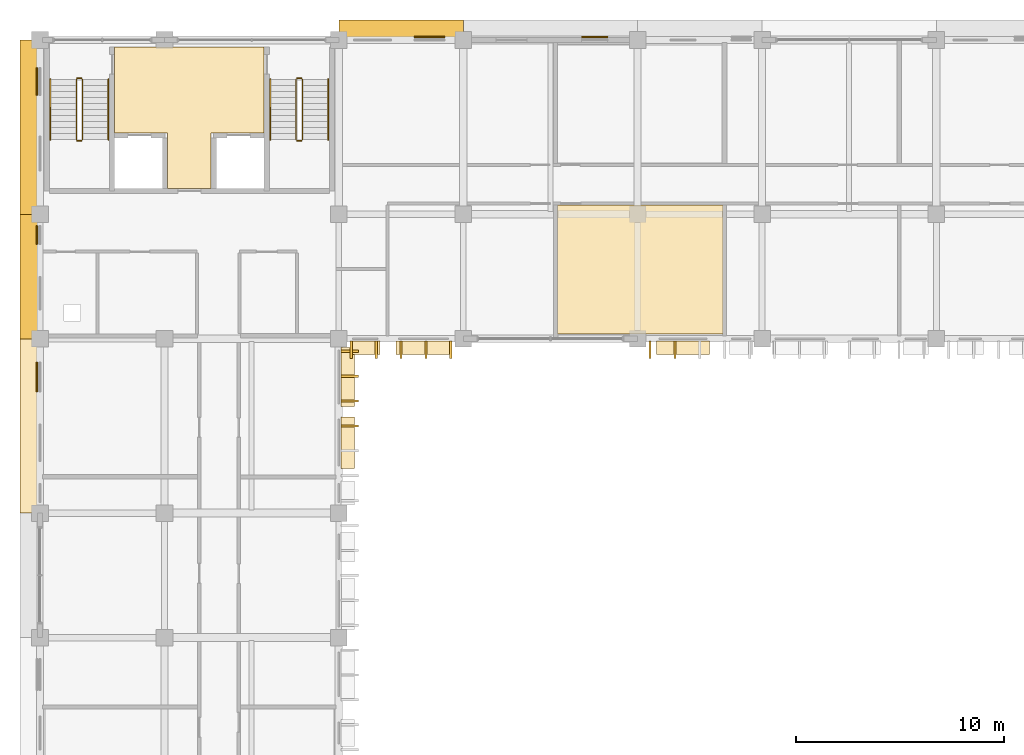
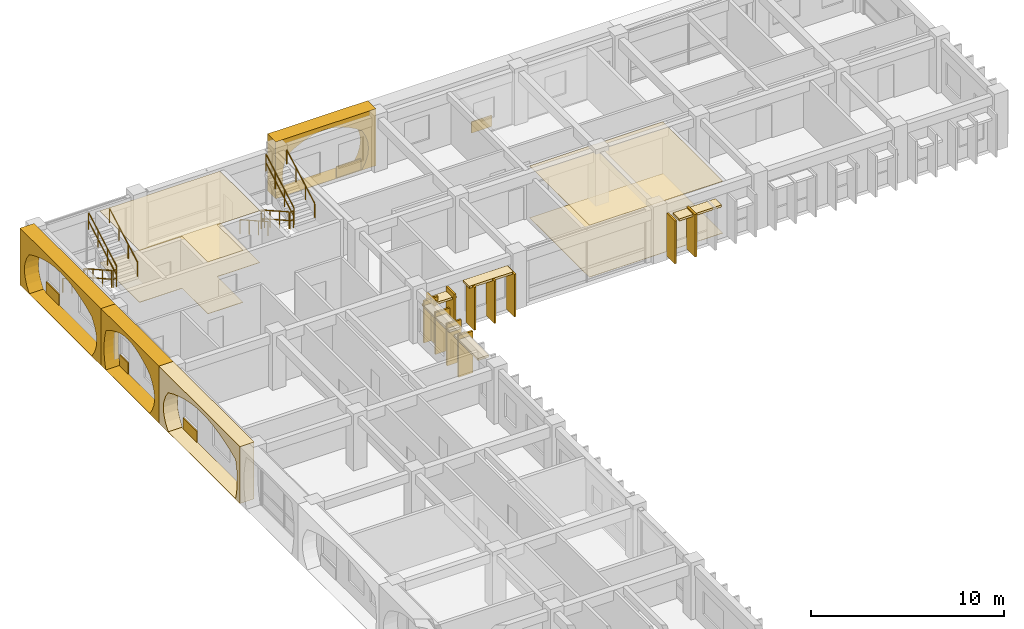
# One storey, part 79 of 88: 29 coverings, 12 railings.
"""IFC4 building model written with IfcOpenShell, lengths in metres."""

from ifc_helpers import new_model, si_unit, direction, frame, origin, origin_2d, place, context, subcontext, project, spatial, polyline, rectangle, outline, extrude, material, layer, layer_set, type_object, element, save


model = new_model("IFC4")

# Units and contexts
model_context = context("Model", 3, precision=1e-05, world=origin(), true_north=direction((0.0, 1.0)))
body_context = subcontext(model_context, "Body", "Model", "MODEL_VIEW")
ifc_project = project(units=[si_unit("LENGTHUNIT", "METRE"), si_unit("AREAUNIT", "SQUARE_METRE"), si_unit("VOLUMEUNIT", "CUBIC_METRE"), si_unit("PLANEANGLEUNIT", "RADIAN"), si_unit("MASSUNIT", "GRAM", prefix="KILO"), si_unit("THERMODYNAMICTEMPERATUREUNIT", "KELVIN")], contexts=[model_context])

# Site, building, storey
site_placement = place(None, origin())
site = spatial("IfcSite", under=ifc_project, at=site_placement, CompositionType="ELEMENT")
building_placement = place(site_placement, origin())
building = spatial("IfcBuilding", under=site, at=building_placement, Name="Thalorik Housing Commons", CompositionType="ELEMENT")
storey_placement = place(building_placement, frame((0.0, 0.0, 4.5)))
storey = spatial("IfcBuildingStorey", under=building, at=storey_placement, Name="L01", CompositionType="ELEMENT", Elevation=4.5)

# Coverings
ifc_material_1 = material(Name="Cobalt blue glazed ceramic facade tile panel", Category="masonry")
ifc_layer_1 = layer(ifc_material_1, 0.06005859375, Name="Cobalt blue glazed ceramic facade tile panel", Category="masonry")
ifc_layer_set_1 = layer_set([ifc_layer_1], Name="Cobalt blue glazed ceramic facade tile panel")
covering_type_1 = type_object("IfcCoveringType", Name="ARC-CLD-BLU-60", PredefinedType="CLADDING", material=ifc_layer_set_1)
covering_1_placement = place(storey_placement, frame((27.169921875, 123.74755859375, 0.0498046875), z_axis=(0.0, 0.0, 1.0), x_axis=(-1.0, 0.0, 0.0)))
element("IfcCovering", 1, at=covering_1_placement, inside=storey, type_object=covering_type_1, Name="L01 De Stijl Recessed Window Spandrel 67", PredefinedType="CLADDING", context=body_context, shape_type="SweptSolid", body=[
    extrude(rectangle(XDim=1.47998046875, YDim=0.06005859375, at=origin_2d()), origin(), (0.0, 0.0, 1.0), 0.699951171875),
])
covering_2_placement = place(storey_placement, frame((8.25244140625, 121.603759765625, 0.0498046875), z_axis=(0.0, 0.0, 1.0), x_axis=(0.0, -1.0, 0.0)))
element("IfcCovering", 2, at=covering_2_placement, inside=storey, type_object=covering_type_1, Name="L01 De Stijl Recessed Window Spandrel 69", PredefinedType="CLADDING", context=body_context, shape_type="SweptSolid", body=[
    extrude(rectangle(XDim=1.320068359375, YDim=0.06005859375, at=origin_2d()), origin(), (0.0, 0.0, 1.0), 0.699951171875),
])
ifc_material_2 = material(Name="Precast concrete C40/50", Category="concrete")
ifc_layer_2 = layer(ifc_material_2, 0.85009765625, Name="Precast concrete C40/50", Category="concrete")
ifc_layer_set_2 = layer_set([ifc_layer_2], Name="Precast concrete C40/50")
covering_type_2 = type_object("IfcCoveringType", Name="ARC-CLD-CUSH-850", PredefinedType="CLADDING", material=ifc_layer_set_2)
covering_3_placement = place(storey_placement, frame((25.800048828125, 124.137451171875, 0.0), z_axis=(0.0, 0.0, 1.0), x_axis=(-1.0, 0.0, 0.0)))
element("IfcCovering", 3, at=covering_3_placement, inside=storey, type_object=covering_type_2, Name="L01 White Precast Curved Cushion Bay Frame 66", PredefinedType="CLADDING", context=body_context, shape_type="SweptSolid", body=[
    extrude(outline(polyline([(-3.0, 0.0), (3.0, 0.0), (3.0, 3.60009765625), (-3.0, 3.60009765625), (-3.0, 0.0)]), holes=[polyline([(2.330078125, 0.02490234375), (2.471435546875, 0.4375), (2.556396484375, 0.85009765625), (2.584716796875, 1.262451171875), (2.556396484375, 1.675048828125), (2.471435546875, 2.08740234375), (2.330078125, 2.5), (1.955810546875, 2.755615234375), (1.581787109375, 2.956298828125), (1.20751953125, 3.119140625), (0.833251953125, 3.239990234375), (0.459228515625, 3.314697265625), (0.0849609375, 3.340087890625), (-0.289306640625, 3.314697265625), (-0.663330078125, 3.239990234375), (-1.03759765625, 3.119140625), (-1.41162109375, 2.956298828125), (-1.785888671875, 2.755615234375), (-2.159912109375, 2.5), (-2.376708984375, 2.08740234375), (-2.506591796875, 1.675048828125), (-2.550048828125, 1.262451171875), (-2.506591796875, 0.85009765625), (-2.376708984375, 0.4375), (-2.159912109375, 0.02490234375), (2.330078125, 0.02490234375)])]), frame((0.0, 0.425048828125, 0.0), z_axis=(0.0, -1.0, 0.0), x_axis=(1.0, 0.0, 0.0)), (0.0, 0.0, 1.0), 0.85009765625),
])
covering_4_placement = place(storey_placement, frame((7.862548828125, 119.39990234375, 0.0), z_axis=(0.0, 0.0, 1.0), x_axis=(0.0, -1.0, 0.0)))
element("IfcCovering", 4, at=covering_4_placement, inside=storey, type_object=covering_type_2, Name="L01 White Precast Curved Cushion Bay Frame 68", PredefinedType="CLADDING", context=body_context, shape_type="SweptSolid", body=[
    extrude(outline(polyline([(-4.199951171875, 0.0), (4.199951171875, 0.0), (4.199951171875, 3.60009765625), (-4.199951171875, 3.60009765625), (-4.199951171875, 0.0)]), holes=[polyline([(3.239990234375, 0.02490234375), (3.523193359375, 0.4375), (3.693359375, 0.85009765625), (3.75, 1.262451171875), (3.693359375, 1.675048828125), (3.523193359375, 2.08740234375), (3.239990234375, 2.5), (2.699951171875, 2.755615234375), (2.159912109375, 2.956298828125), (1.6201171875, 3.119140625), (1.080078125, 3.239990234375), (0.5400390625, 3.314697265625), (0.0, 3.340087890625), (-0.5400390625, 3.314697265625), (-1.080078125, 3.239990234375), (-1.6201171875, 3.119140625), (-2.159912109375, 2.956298828125), (-2.699951171875, 2.755615234375), (-3.239990234375, 2.5), (-3.523193359375, 2.08740234375), (-3.693359375, 1.675048828125), (-3.75, 1.262451171875), (-3.693359375, 0.85009765625), (-3.523193359375, 0.4375), (-3.239990234375, 0.02490234375), (3.239990234375, 0.02490234375)])]), frame((0.0, 0.425048828125, 0.0), z_axis=(0.0, -1.0, 0.0), x_axis=(1.0, 0.0, 0.0)), (0.0, 0.0, 1.0), 0.85009765625),
])
covering_5_placement = place(storey_placement, frame((7.862548828125, 112.199951171875, 0.0), z_axis=(0.0, 0.0, 1.0), x_axis=(0.0, -1.0, 0.0)))
element("IfcCovering", 5, at=covering_5_placement, inside=storey, type_object=covering_type_2, Name="L01 White Precast Curved Cushion Bay Frame 70", PredefinedType="CLADDING", context=body_context, shape_type="SweptSolid", body=[
    extrude(outline(polyline([(-3.0, 0.0), (3.0, 0.0), (3.0, 3.60009765625), (-3.0, 3.60009765625), (-3.0, 0.0)]), holes=[polyline([(2.0400390625, 0.02490234375), (2.3232421875, 0.4375), (2.493408203125, 0.85009765625), (2.550048828125, 1.262451171875), (2.493408203125, 1.675048828125), (2.3232421875, 2.08740234375), (2.0400390625, 2.5), (1.661376953125, 2.755615234375), (1.282470703125, 2.956298828125), (0.90380859375, 3.119140625), (0.52490234375, 3.239990234375), (0.146240234375, 3.314697265625), (-0.232421875, 3.340087890625), (-0.611328125, 3.314697265625), (-0.989990234375, 3.239990234375), (-1.36865234375, 3.119140625), (-1.74755859375, 2.956298828125), (-2.126220703125, 2.755615234375), (-2.5048828125, 2.5), (-2.609619140625, 2.08740234375), (-2.672119140625, 1.675048828125), (-2.693115234375, 1.262451171875), (-2.672119140625, 0.85009765625), (-2.609619140625, 0.4375), (-2.5048828125, 0.02490234375), (2.0400390625, 0.02490234375)])]), frame((0.0, 0.425048828125, 0.0), z_axis=(0.0, -1.0, 0.0), x_axis=(1.0, 0.0, 0.0)), (0.0, 0.0, 1.0), 0.85009765625),
])
covering_6_placement = place(storey_placement, frame((7.862548828125, 105.0, 0.0), z_axis=(0.0, 0.0, 1.0), x_axis=(0.0, -1.0, 0.0)))
element("IfcCovering", 6, at=covering_6_placement, inside=storey, type_object=covering_type_2, Name="L01 White Precast Curved Cushion Bay Frame 72", PredefinedType="CLADDING", context=body_context, shape_type="SweptSolid", body=[
    extrude(outline(polyline([(-4.199951171875, 0.0), (4.199951171875, 0.0), (4.199951171875, 3.60009765625), (-4.199951171875, 3.60009765625), (-4.199951171875, 0.0)]), holes=[polyline([(3.735107421875, 0.02490234375), (3.833251953125, 0.4375), (3.89208984375, 0.85009765625), (3.91162109375, 1.262451171875), (3.89208984375, 1.675048828125), (3.833251953125, 2.08740234375), (3.735107421875, 2.5), (3.15380859375, 2.755615234375), (2.572509765625, 2.956298828125), (1.9912109375, 3.119140625), (1.409912109375, 3.239990234375), (0.82861328125, 3.314697265625), (0.24755859375, 3.340087890625), (-0.333740234375, 3.314697265625), (-0.9150390625, 3.239990234375), (-1.49609375, 3.119140625), (-2.077392578125, 2.956298828125), (-2.65869140625, 2.755615234375), (-3.239990234375, 2.5), (-3.523193359375, 2.08740234375), (-3.693359375, 1.675048828125), (-3.75, 1.262451171875), (-3.693359375, 0.85009765625), (-3.523193359375, 0.4375), (-3.239990234375, 0.02490234375), (3.735107421875, 0.02490234375)])]), frame((0.0, 0.425048828125, 0.0), z_axis=(0.0, -1.0, 0.0), x_axis=(1.0, 0.0, 0.0)), (0.0, 0.0, 1.0), 0.85009765625),
])
ifc_layer_3 = layer(ifc_material_2, 0.85009765625, Name="Precast concrete C40/50", Category="concrete")
ifc_layer_set_3 = layer_set([ifc_layer_3], Name="Precast concrete C40/50")
covering_type_3 = type_object("IfcCoveringType", Name="ARC-CLD-FIN-850", PredefinedType="CLADDING", material=ifc_layer_set_3)
for number, where, z_axis, x_axis, name in (
    (7, (23.39990234375, 108.66259765625, 0.0400390625), (0.0, 0.0, 1.0), (1.0, 0.0, 0.0), "L01 Courtyard Precast Vertical Brise-Soleil Fin 21"),
    (8, (24.60009765625, 108.66259765625, 0.0400390625), (0.0, 0.0, 1.0), (1.0, 0.0, 0.0), "L01 Courtyard Precast Vertical Brise-Soleil Fin 22"),
    (9, (25.800048828125, 108.66259765625, 0.0400390625), (0.0, 0.0, 1.0), (1.0, 0.0, 0.0), "L01 Courtyard Precast Vertical Brise-Soleil Fin 23"),
    (10, (27.0, 108.66259765625, 0.0400390625), (0.0, 0.0, 1.0), (1.0, 0.0, 0.0), "L01 Courtyard Precast Vertical Brise-Soleil Fin 24"),
    (11, (28.199951171875, 108.66259765625, 0.0400390625), (0.0, 0.0, 1.0), (1.0, 0.0, 0.0), "L01 Courtyard Precast Vertical Brise-Soleil Fin 25"),
    (12, (37.800048828125, 108.66259765625, 0.0400390625), (0.0, 0.0, 1.0), (1.0, 0.0, 0.0), "L01 Courtyard Precast Vertical Brise-Soleil Fin 28"),
    (13, (39.0, 108.66259765625, 0.0400390625), (0.0, 0.0, 1.0), (1.0, 0.0, 0.0), "L01 Courtyard Precast Vertical Brise-Soleil Fin 29"),
):
    element("IfcCovering", number, at=place(storey_placement, frame(where, z_axis=z_axis, x_axis=x_axis)), inside=storey, type_object=covering_type_3, Name=name, PredefinedType="CLADDING", context=body_context, shape_type="SweptSolid", body=[
        extrude(rectangle(XDim=0.110107421875, YDim=0.85009765625, at=origin_2d()), origin(), (0.0, 0.0, 1.0), 2.695068359375),
    ])
for number, where, z_axis, x_axis, name in (
    (14, (23.33740234375, 105.0, 0.0400390625), (0.0, 0.0, 1.0), (0.0, 1.0, 0.0), "L01 Courtyard Precast Vertical Brise-Soleil Fin 117"),
    (15, (23.33740234375, 106.199951171875, 0.0400390625), (0.0, 0.0, 1.0), (0.0, 1.0, 0.0), "L01 Courtyard Precast Vertical Brise-Soleil Fin 118"),
    (16, (23.33740234375, 107.39990234375, 0.0400390625), (0.0, 0.0, 1.0), (0.0, 1.0, 0.0), "L01 Courtyard Precast Vertical Brise-Soleil Fin 119"),
    (17, (23.33740234375, 108.60009765625, 0.0400390625), (0.0, 0.0, 1.0), (0.0, 1.0, 0.0), "L01 Courtyard Precast Vertical Brise-Soleil Fin 120"),
):
    element("IfcCovering", number, at=place(storey_placement, frame(where, z_axis=z_axis, x_axis=x_axis)), inside=storey, type_object=covering_type_3, Name=name, PredefinedType="CLADDING", context=body_context, shape_type="SweptSolid", body=[
        extrude(rectangle(XDim=0.110107421875, YDim=0.85009765625, at=origin_2d()), origin(), (0.0, 0.0, 1.0), 2.64501953125),
    ])
ifc_layer_4 = layer(ifc_material_2, 0.64990234375, Name="Precast concrete C40/50", Category="concrete")
ifc_layer_set_4 = layer_set([ifc_layer_4], Name="Precast concrete C40/50")
covering_type_4 = type_object("IfcCoveringType", Name="ARC-CLD-HOOD-650", PredefinedType="CLADDING", material=ifc_layer_set_4)
covering_7_placement = place(storey_placement, frame((24.070068359375, 108.762451171875, 2.2900390625), z_axis=(0.0, 0.0, 1.0), x_axis=(1.0, 0.0, 0.0)))
element("IfcCovering", 18, at=covering_7_placement, inside=storey, type_object=covering_type_4, Name="L01 Courtyard Precast Window Sun-Hood 26", PredefinedType="CLADDING", context=body_context, shape_type="SweptSolid", body=[
    extrude(rectangle(XDim=1.43994140625, YDim=0.64990234375, at=origin_2d()), origin(), (0.0, 0.0, 1.0), 0.139892578125),
])
covering_8_placement = place(storey_placement, frame((26.8798828125, 108.762451171875, 2.625), z_axis=(0.0, 0.0, 1.0), x_axis=(1.0, 0.0, 0.0)))
element("IfcCovering", 19, at=covering_8_placement, inside=storey, type_object=covering_type_4, Name="L01 Courtyard Precast Window Sun-Hood 27", PredefinedType="CLADDING", context=body_context, shape_type="SweptSolid", body=[
    extrude(rectangle(XDim=2.639892578125, YDim=0.64990234375, at=origin_2d()), origin(), (0.0, 0.0, 1.0), 0.139892578125),
])
covering_9_placement = place(storey_placement, frame((39.389892578125, 108.762451171875, 2.490234375), z_axis=(0.0, 0.0, 1.0), x_axis=(1.0, 0.0, 0.0)))
element("IfcCovering", 20, at=covering_9_placement, inside=storey, type_object=covering_type_4, Name="L01 Courtyard Precast Window Sun-Hood 33", PredefinedType="CLADDING", context=body_context, shape_type="SweptSolid", body=[
    extrude(rectangle(XDim=2.5400390625, YDim=0.64990234375, at=origin_2d()), origin(), (0.0, 0.0, 1.0), 0.139892578125),
])
covering_10_placement = place(storey_placement, frame((23.237548828125, 104.1923828125, 2.31005859375), z_axis=(0.0, 0.0, 1.0), x_axis=(0.0, 1.0, 0.0)))
element("IfcCovering", 21, at=covering_10_placement, inside=storey, type_object=covering_type_4, Name="L01 Courtyard Precast Window Sun-Hood 122", PredefinedType="CLADDING", context=body_context, shape_type="SweptSolid", body=[
    extrude(rectangle(XDim=2.47998046875, YDim=0.64990234375, at=origin_2d()), origin(), (0.0, 0.0, 1.0), 0.139892578125),
])
covering_11_placement = place(storey_placement, frame((23.237548828125, 107.357421875, 2.27001953125), z_axis=(0.0, 0.0, 1.0), x_axis=(0.0, 1.0, 0.0)))
element("IfcCovering", 22, at=covering_11_placement, inside=storey, type_object=covering_type_4, Name="L01 Courtyard Precast Window Sun-Hood 123", PredefinedType="CLADDING", context=body_context, shape_type="SweptSolid", body=[
    extrude(rectangle(XDim=2.820068359375, YDim=0.64990234375, at=origin_2d()), origin(), (0.0, 0.0, 1.0), 0.139892578125),
])
ifc_material_3 = material(Name="Terracotta red mineral fibre-cement panel", Category="masonry")
ifc_layer_5 = layer(ifc_material_3, 0.054931640625, Name="Terracotta red mineral fibre-cement panel", Category="masonry")
ifc_layer_set_5 = layer_set([ifc_layer_5], Name="Terracotta red mineral fibre-cement panel")
covering_type_5 = type_object("IfcCoveringType", Name="ARC-CLD-RED-55", PredefinedType="CLADDING", material=ifc_layer_set_5)
covering_12_placement = place(storey_placement, frame((35.1298828125, 123.7451171875, 0.0498046875), z_axis=(0.0, 0.0, 1.0), x_axis=(-1.0, 0.0, 0.0)))
element("IfcCovering", 23, at=covering_12_placement, inside=storey, type_object=covering_type_5, Name="L01 De Stijl Recessed Window Spandrel 65", PredefinedType="CLADDING", context=body_context, shape_type="SweptSolid", body=[
    extrude(rectangle(XDim=1.25, YDim=0.054931640625, at=origin_2d()), origin(), (0.0, 0.0, 1.0), 0.699951171875),
])
covering_13_placement = place(storey_placement, frame((8.2548828125, 107.357421875, 0.0498046875), z_axis=(0.0, 0.0, 1.0), x_axis=(0.0, -1.0, 0.0)))
element("IfcCovering", 24, at=covering_13_placement, inside=storey, type_object=covering_type_5, Name="L01 De Stijl Recessed Window Spandrel 73", PredefinedType="CLADDING", context=body_context, shape_type="SweptSolid", body=[
    extrude(rectangle(XDim=1.419921875, YDim=0.054931640625, at=origin_2d()), origin(), (0.0, 0.0, 1.0), 0.699951171875),
])
ifc_material_4 = material(Name="Mineral ochre architectural terracotta panel", Category="masonry")
ifc_layer_6 = layer(ifc_material_4, 0.06494140625, Name="Mineral ochre architectural terracotta panel", Category="masonry")
ifc_layer_set_6 = layer_set([ifc_layer_6], Name="Mineral ochre architectural terracotta panel")
covering_type_6 = type_object("IfcCoveringType", Name="ARC-CLD-YEL-65", PredefinedType="CLADDING", material=ifc_layer_set_6)
covering_14_placement = place(storey_placement, frame((8.25, 114.205078125, 0.0498046875), z_axis=(0.0, 0.0, 1.0), x_axis=(0.0, -1.0, 0.0)))
element("IfcCovering", 25, at=covering_14_placement, inside=storey, type_object=covering_type_6, Name="L01 De Stijl Recessed Window Spandrel 71", PredefinedType="CLADDING", context=body_context, shape_type="SweptSolid", body=[
    extrude(rectangle(XDim=0.89990234375, YDim=0.06494140625, at=origin_2d()), origin(), (0.0, 0.0, 1.0), 0.699951171875),
])
ifc_material_5 = material(Name="Slatted timber acoustic hall baffle ceiling", Category="wood")
ifc_layer_7 = layer(ifc_material_5, 0.02197265625, Name="Slatted timber acoustic hall baffle ceiling", Category="wood")
ifc_layer_set_7 = layer_set([ifc_layer_7], Name="Slatted timber acoustic hall baffle ceiling")
covering_type_7 = type_object("IfcCoveringType", Name="ARC-COV-CEIL-03", PredefinedType="CEILING", material=ifc_layer_set_7)
covering_15_placement = place(storey_placement, frame((0.0, 0.0, 3.278076171875)))
element("IfcCovering", 26, at=covering_15_placement, inside=storey, type_object=covering_type_7, Name="L01 Shared Sewing Workshop Suspended Ceiling", PredefinedType="CEILING", context=body_context, shape_type="SweptSolid", body=[
    extrude(outline(polyline([(41.31005859375, 109.43994140625), (41.31005859375, 115.639892578125), (33.330078125, 115.639892578125), (33.330078125, 109.43994140625), (41.31005859375, 109.43994140625)])), origin(), (0.0, 0.0, 1.0), 0.02197265625),
])
ifc_material_6 = material(Name="Moisture-resistant gypsum bathroom ceiling")
ifc_layer_8 = layer(ifc_material_6, 0.02490234375, Name="Moisture-resistant gypsum bathroom ceiling")
ifc_layer_set_8 = layer_set([ifc_layer_8], Name="Moisture-resistant gypsum bathroom ceiling")
covering_type_8 = type_object("IfcCoveringType", Name="ARC-COV-CEIL-04", PredefinedType="CEILING", material=ifc_layer_set_8)
covering_16_placement = place(storey_placement, frame((0.0, 0.0, 3.27490234375)))
element("IfcCovering", 27, at=covering_16_placement, inside=storey, type_object=covering_type_8, Name="L01 Block A Firefighting Lift Lobby Suspended Ceiling", PredefinedType="CEILING", context=body_context, shape_type="SweptSolid", body=[
    extrude(outline(polyline([(14.550048828125, 116.449951171875), (16.64990234375, 116.449951171875), (16.650146484375, 119.1201171875), (19.199951171875, 119.1201171875), (19.199951171875, 123.25), (12.0, 123.25), (12.0, 119.1201171875), (14.550048828125, 119.1201171875), (14.550048828125, 116.449951171875)])), origin(), (0.0, 0.0, 1.0), 0.025146484375),
])
ifc_material_7 = material(Name="Cushioned natural linoleum nursery playroom flooring")
ifc_layer_9 = layer(ifc_material_7, 0.02001953125, Name="Cushioned natural linoleum nursery playroom flooring")
ifc_layer_set_9 = layer_set([ifc_layer_9], Name="Cushioned natural linoleum nursery playroom flooring")
covering_type_9 = type_object("IfcCoveringType", Name="ARC-COV-FLR-03", PredefinedType="FLOORING", material=ifc_layer_set_9)
covering_17_placement = place(storey_placement, origin())
element("IfcCovering", 28, at=covering_17_placement, inside=storey, type_object=covering_type_9, Name="L01 Shared Sewing Workshop Flooring", PredefinedType="FLOORING", context=body_context, shape_type="SweptSolid", body=[
    extrude(outline(polyline([(41.31005859375, 109.43994140625), (41.31005859375, 115.639892578125), (33.330078125, 115.639892578125), (33.330078125, 109.43994140625), (41.31005859375, 109.43994140625)])), origin(), (0.0, 0.0, 1.0), 0.02001953125),
])
ifc_material_8 = material(Name="Sprung Brazilian oak assembly hall timber floor", Category="wood")
ifc_layer_10 = layer(ifc_material_8, 0.02392578125, Name="Sprung Brazilian oak assembly hall timber floor", Category="wood")
ifc_layer_set_10 = layer_set([ifc_layer_10], Name="Sprung Brazilian oak assembly hall timber floor")
covering_type_10 = type_object("IfcCoveringType", Name="ARC-COV-FLR-04", PredefinedType="FLOORING", material=ifc_layer_set_10)
covering_18_placement = place(storey_placement, origin())
element("IfcCovering", 29, at=covering_18_placement, inside=storey, type_object=covering_type_10, Name="L01 Block A Firefighting Lift Lobby Flooring", PredefinedType="FLOORING", context=body_context, shape_type="SweptSolid", body=[
    extrude(outline(polyline([(14.550048828125, 116.449951171875), (16.64990234375, 116.449951171875), (16.650146484375, 119.1201171875), (19.199951171875, 119.1201171875), (19.199951171875, 123.25), (12.0, 123.25), (12.0, 119.1201171875), (14.550048828125, 119.1201171875), (14.550048828125, 116.449951171875)])), origin(), (0.0, 0.0, 1.0), 0.02392578125),
])

# Railings
ifc_material_9 = material(Name="Steel S355", Category="steel")
railing_type_1 = type_object("IfcRailingType", Name="ARC-RL-STR-GRD110", PredefinedType="GUARDRAIL", material=ifc_material_9)
railing_1_placement = place(storey_placement, frame((10.14990234375, 121.699951171875, 0.16357421875)))
element("IfcRailing", 30, at=railing_1_placement, inside=storey, type_object=railing_type_1, Name="L01 ST-A1 stair guard 1", PredefinedType="GUARDRAIL", context=body_context, shape_type="SweptSolid", body=[
    extrude(rectangle(XDim=0.048095703125, YDim=0.048095703125, at=origin_2d()), frame((0.0, 0.0, 1.076171875), z_axis=(0.0, -0.870897200241, 0.491465224214), x_axis=(1.0, 0.0, 0.0)), (0.0, 0.0, 1.0), 3.329833984375),
    extrude(rectangle(XDim=0.048095703125, YDim=0.048095703125, at=origin_2d()), frame((0.0, 0.0, 0.52587890625), z_axis=(0.0, -0.870897200241, 0.491465224214), x_axis=(1.0, 0.0, 0.0)), (0.0, 0.0, 1.0), 3.329833984375),
    extrude(rectangle(XDim=0.0419921875, YDim=0.0419921875, at=origin_2d()), origin(), (0.0, 0.0, 1.0), 1.052001953125),
    extrude(rectangle(XDim=0.0419921875, YDim=0.0419921875, at=origin_2d()), frame((0.0, -0.966552734375, 0.54541015625)), (0.0, 0.0, 1.0), 1.052001953125),
    extrude(rectangle(XDim=0.0419921875, YDim=0.0419921875, at=origin_2d()), frame((0.0, -1.933349609375, 1.091064453125)), (0.0, 0.0, 1.0), 1.052001953125),
    extrude(rectangle(XDim=0.0419921875, YDim=0.0419921875, at=origin_2d()), frame((0.0, -2.89990234375, 1.636474609375)), (0.0, 0.0, 1.0), 1.052001953125),
])
railing_2_placement = place(storey_placement, frame((10.199951171875, 118.75, 1.800048828125)))
element("IfcRailing", 31, at=railing_2_placement, inside=storey, type_object=railing_type_1, Name="L01 ST-A1 stair guard 2", PredefinedType="GUARDRAIL", context=body_context, shape_type="SweptSolid", body=[
    extrude(rectangle(XDim=0.048095703125, YDim=0.048095703125, at=origin_2d()), frame((0.0, 0.0, 1.076171875), z_axis=(1.0, 0.0, 0.0), x_axis=(0.0, 1.0, 0.0)), (0.0, 0.0, 1.0), 0.199951171875),
    extrude(rectangle(XDim=0.048095703125, YDim=0.048095703125, at=origin_2d()), frame((0.0, 0.0, 0.52587890625), z_axis=(1.0, 0.0, 0.0), x_axis=(0.0, 1.0, 0.0)), (0.0, 0.0, 1.0), 0.199951171875),
    extrude(rectangle(XDim=0.0419921875, YDim=0.0419921875, at=origin_2d()), origin(), (0.0, 0.0, 1.0), 1.052001953125),
    extrude(rectangle(XDim=0.0419921875, YDim=0.0419921875, at=origin_2d()), frame((0.199951171875, 0.0, 0.0)), (0.0, 0.0, 1.0), 1.052001953125),
])
railing_3_placement = place(storey_placement, frame((10.449951171875, 118.800048828125, 1.963623046875)))
element("IfcRailing", 32, at=railing_3_placement, inside=storey, type_object=railing_type_1, Name="L01 ST-A1 stair guard 3", PredefinedType="GUARDRAIL", context=body_context, shape_type="SweptSolid", body=[
    extrude(rectangle(XDim=0.048095703125, YDim=0.048095703125, at=origin_2d()), frame((0.0, 0.0, 1.076171875), z_axis=(0.0, 0.870897200241, 0.491465224214), x_axis=(-1.0, 0.0, 0.0)), (0.0, 0.0, 1.0), 3.329833984375),
    extrude(rectangle(XDim=0.048095703125, YDim=0.048095703125, at=origin_2d()), frame((0.0, 0.0, 0.52587890625), z_axis=(0.0, 0.870897200241, 0.491465224214), x_axis=(-1.0, 0.0, 0.0)), (0.0, 0.0, 1.0), 3.329833984375),
    extrude(rectangle(XDim=0.0419921875, YDim=0.0419921875, at=origin_2d()), origin(), (0.0, 0.0, 1.0), 1.052001953125),
    extrude(rectangle(XDim=0.0419921875, YDim=0.0419921875, at=origin_2d()), frame((0.0, 0.966552734375, 0.54541015625)), (0.0, 0.0, 1.0), 1.052001953125),
    extrude(rectangle(XDim=0.0419921875, YDim=0.0419921875, at=origin_2d()), frame((0.0, 1.933349609375, 1.091064453125)), (0.0, 0.0, 1.0), 1.052001953125),
    extrude(rectangle(XDim=0.0419921875, YDim=0.0419921875, at=origin_2d()), frame((0.0, 2.89990234375, 1.636474609375)), (0.0, 0.0, 1.0), 1.052001953125),
])
railing_4_placement = place(storey_placement, frame((10.199951171875, 121.75, 0.0)))
element("IfcRailing", 33, at=railing_4_placement, inside=storey, type_object=railing_type_1, Name="L01 ST-A1 stair guard 4", PredefinedType="GUARDRAIL", context=body_context, shape_type="SweptSolid", body=[
    extrude(rectangle(XDim=0.048095703125, YDim=0.048095703125, at=origin_2d()), frame((0.0, 0.0, 1.076171875), z_axis=(1.0, 0.0, 0.0), x_axis=(0.0, 1.0, 0.0)), (0.0, 0.0, 1.0), 0.199951171875),
    extrude(rectangle(XDim=0.048095703125, YDim=0.048095703125, at=origin_2d()), frame((0.0, 0.0, 0.52587890625), z_axis=(1.0, 0.0, 0.0), x_axis=(0.0, 1.0, 0.0)), (0.0, 0.0, 1.0), 0.199951171875),
    extrude(rectangle(XDim=0.0419921875, YDim=0.0419921875, at=origin_2d()), origin(), (0.0, 0.0, 1.0), 1.052001953125),
    extrude(rectangle(XDim=0.0419921875, YDim=0.0419921875, at=origin_2d()), frame((0.199951171875, 0.0, 0.0)), (0.0, 0.0, 1.0), 1.052001953125),
])
railing_5_placement = place(storey_placement, frame((20.75, 121.699951171875, 0.16357421875)))
element("IfcRailing", 34, at=railing_5_placement, inside=storey, type_object=railing_type_1, Name="L01 ST-A2 stair guard 1", PredefinedType="GUARDRAIL", context=body_context, shape_type="SweptSolid", body=[
    extrude(rectangle(XDim=0.048095703125, YDim=0.048095703125, at=origin_2d()), frame((0.0, 0.0, 1.076171875), z_axis=(0.0, -0.870897200241, 0.491465224214), x_axis=(1.0, 0.0, 0.0)), (0.0, 0.0, 1.0), 3.329833984375),
    extrude(rectangle(XDim=0.048095703125, YDim=0.048095703125, at=origin_2d()), frame((0.0, 0.0, 0.52587890625), z_axis=(0.0, -0.870897200241, 0.491465224214), x_axis=(1.0, 0.0, 0.0)), (0.0, 0.0, 1.0), 3.329833984375),
    extrude(rectangle(XDim=0.0419921875, YDim=0.0419921875, at=origin_2d()), origin(), (0.0, 0.0, 1.0), 1.052001953125),
    extrude(rectangle(XDim=0.0419921875, YDim=0.0419921875, at=origin_2d()), frame((0.0, -0.966552734375, 0.54541015625)), (0.0, 0.0, 1.0), 1.052001953125),
    extrude(rectangle(XDim=0.0419921875, YDim=0.0419921875, at=origin_2d()), frame((0.0, -1.933349609375, 1.091064453125)), (0.0, 0.0, 1.0), 1.052001953125),
    extrude(rectangle(XDim=0.0419921875, YDim=0.0419921875, at=origin_2d()), frame((0.0, -2.89990234375, 1.636474609375)), (0.0, 0.0, 1.0), 1.052001953125),
])
railing_6_placement = place(storey_placement, frame((20.800048828125, 118.75, 1.800048828125)))
element("IfcRailing", 35, at=railing_6_placement, inside=storey, type_object=railing_type_1, Name="L01 ST-A2 stair guard 2", PredefinedType="GUARDRAIL", context=body_context, shape_type="SweptSolid", body=[
    extrude(rectangle(XDim=0.048095703125, YDim=0.048095703125, at=origin_2d()), frame((0.0, 0.0, 1.076171875), z_axis=(1.0, 0.0, 0.0), x_axis=(0.0, 1.0, 0.0)), (0.0, 0.0, 1.0), 0.199951171875),
    extrude(rectangle(XDim=0.048095703125, YDim=0.048095703125, at=origin_2d()), frame((0.0, 0.0, 0.52587890625), z_axis=(1.0, 0.0, 0.0), x_axis=(0.0, 1.0, 0.0)), (0.0, 0.0, 1.0), 0.199951171875),
    extrude(rectangle(XDim=0.0419921875, YDim=0.0419921875, at=origin_2d()), origin(), (0.0, 0.0, 1.0), 1.052001953125),
    extrude(rectangle(XDim=0.0419921875, YDim=0.0419921875, at=origin_2d()), frame((0.199951171875, 0.0, 0.0)), (0.0, 0.0, 1.0), 1.052001953125),
])
railing_7_placement = place(storey_placement, frame((21.050048828125, 118.800048828125, 1.963623046875)))
element("IfcRailing", 36, at=railing_7_placement, inside=storey, type_object=railing_type_1, Name="L01 ST-A2 stair guard 3", PredefinedType="GUARDRAIL", context=body_context, shape_type="SweptSolid", body=[
    extrude(rectangle(XDim=0.048095703125, YDim=0.048095703125, at=origin_2d()), frame((0.0, 0.0, 1.076171875), z_axis=(0.0, 0.870897200241, 0.491465224214), x_axis=(-1.0, 0.0, 0.0)), (0.0, 0.0, 1.0), 3.329833984375),
    extrude(rectangle(XDim=0.048095703125, YDim=0.048095703125, at=origin_2d()), frame((0.0, 0.0, 0.52587890625), z_axis=(0.0, 0.870897200241, 0.491465224214), x_axis=(-1.0, 0.0, 0.0)), (0.0, 0.0, 1.0), 3.329833984375),
    extrude(rectangle(XDim=0.0419921875, YDim=0.0419921875, at=origin_2d()), origin(), (0.0, 0.0, 1.0), 1.052001953125),
    extrude(rectangle(XDim=0.0419921875, YDim=0.0419921875, at=origin_2d()), frame((0.0, 0.966552734375, 0.54541015625)), (0.0, 0.0, 1.0), 1.052001953125),
    extrude(rectangle(XDim=0.0419921875, YDim=0.0419921875, at=origin_2d()), frame((0.0, 1.933349609375, 1.091064453125)), (0.0, 0.0, 1.0), 1.052001953125),
    extrude(rectangle(XDim=0.0419921875, YDim=0.0419921875, at=origin_2d()), frame((0.0, 2.89990234375, 1.636474609375)), (0.0, 0.0, 1.0), 1.052001953125),
])
railing_8_placement = place(storey_placement, frame((20.800048828125, 121.75, 0.0)))
element("IfcRailing", 37, at=railing_8_placement, inside=storey, type_object=railing_type_1, Name="L01 ST-A2 stair guard 4", PredefinedType="GUARDRAIL", context=body_context, shape_type="SweptSolid", body=[
    extrude(rectangle(XDim=0.048095703125, YDim=0.048095703125, at=origin_2d()), frame((0.0, 0.0, 1.076171875), z_axis=(1.0, 0.0, 0.0), x_axis=(0.0, 1.0, 0.0)), (0.0, 0.0, 1.0), 0.199951171875),
    extrude(rectangle(XDim=0.048095703125, YDim=0.048095703125, at=origin_2d()), frame((0.0, 0.0, 0.52587890625), z_axis=(1.0, 0.0, 0.0), x_axis=(0.0, 1.0, 0.0)), (0.0, 0.0, 1.0), 0.199951171875),
    extrude(rectangle(XDim=0.0419921875, YDim=0.0419921875, at=origin_2d()), origin(), (0.0, 0.0, 1.0), 1.052001953125),
    extrude(rectangle(XDim=0.0419921875, YDim=0.0419921875, at=origin_2d()), frame((0.199951171875, 0.0, 0.0)), (0.0, 0.0, 1.0), 1.052001953125),
])
railing_type_2 = type_object("IfcRailingType", Name="ARC-RL-STR-HR092", PredefinedType="HANDRAIL", material=ifc_material_9)
railing_9_placement = place(storey_placement, frame((8.89990234375, 121.699951171875, 0.16357421875)))
element("IfcRailing", 38, at=railing_9_placement, inside=storey, type_object=railing_type_2, Name="L01 ST-A1 stair handrail 1", PredefinedType="HANDRAIL", context=body_context, shape_type="SweptSolid", body=[
    extrude(rectangle(XDim=0.048095703125, YDim=0.048095703125, at=origin_2d()), frame((0.0, 0.0, 0.89599609375), z_axis=(0.0, -0.870897200241, 0.491465224214), x_axis=(1.0, 0.0, 0.0)), (0.0, 0.0, 1.0), 3.329833984375),
    extrude(rectangle(XDim=0.0419921875, YDim=0.0419921875, at=origin_2d()), origin(), (0.0, 0.0, 1.0), 0.871826171875),
    extrude(rectangle(XDim=0.0419921875, YDim=0.0419921875, at=origin_2d()), frame((0.0, -0.966552734375, 0.54541015625)), (0.0, 0.0, 1.0), 0.871826171875),
    extrude(rectangle(XDim=0.0419921875, YDim=0.0419921875, at=origin_2d()), frame((0.0, -1.933349609375, 1.091064453125)), (0.0, 0.0, 1.0), 0.871826171875),
    extrude(rectangle(XDim=0.0419921875, YDim=0.0419921875, at=origin_2d()), frame((0.0, -2.89990234375, 1.636474609375)), (0.0, 0.0, 1.0), 0.871826171875),
])
railing_10_placement = place(storey_placement, frame((11.699951171875, 118.800048828125, 1.963623046875)))
element("IfcRailing", 39, at=railing_10_placement, inside=storey, type_object=railing_type_2, Name="L01 ST-A1 stair handrail 2", PredefinedType="HANDRAIL", context=body_context, shape_type="SweptSolid", body=[
    extrude(rectangle(XDim=0.048095703125, YDim=0.048095703125, at=origin_2d()), frame((0.0, 0.0, 0.89599609375), z_axis=(0.0, 0.870897200241, 0.491465224214), x_axis=(-1.0, 0.0, 0.0)), (0.0, 0.0, 1.0), 3.329833984375),
    extrude(rectangle(XDim=0.0419921875, YDim=0.0419921875, at=origin_2d()), origin(), (0.0, 0.0, 1.0), 0.871826171875),
    extrude(rectangle(XDim=0.0419921875, YDim=0.0419921875, at=origin_2d()), frame((0.0, 0.966552734375, 0.54541015625)), (0.0, 0.0, 1.0), 0.871826171875),
    extrude(rectangle(XDim=0.0419921875, YDim=0.0419921875, at=origin_2d()), frame((0.0, 1.933349609375, 1.091064453125)), (0.0, 0.0, 1.0), 0.871826171875),
    extrude(rectangle(XDim=0.0419921875, YDim=0.0419921875, at=origin_2d()), frame((0.0, 2.89990234375, 1.636474609375)), (0.0, 0.0, 1.0), 0.871826171875),
])
railing_11_placement = place(storey_placement, frame((19.5, 121.699951171875, 0.16357421875)))
element("IfcRailing", 40, at=railing_11_placement, inside=storey, type_object=railing_type_2, Name="L01 ST-A2 stair handrail 1", PredefinedType="HANDRAIL", context=body_context, shape_type="SweptSolid", body=[
    extrude(rectangle(XDim=0.048095703125, YDim=0.048095703125, at=origin_2d()), frame((0.0, 0.0, 0.89599609375), z_axis=(0.0, -0.870897200241, 0.491465224214), x_axis=(1.0, 0.0, 0.0)), (0.0, 0.0, 1.0), 3.329833984375),
    extrude(rectangle(XDim=0.0419921875, YDim=0.0419921875, at=origin_2d()), origin(), (0.0, 0.0, 1.0), 0.871826171875),
    extrude(rectangle(XDim=0.0419921875, YDim=0.0419921875, at=origin_2d()), frame((0.0, -0.966552734375, 0.54541015625)), (0.0, 0.0, 1.0), 0.871826171875),
    extrude(rectangle(XDim=0.0419921875, YDim=0.0419921875, at=origin_2d()), frame((0.0, -1.933349609375, 1.091064453125)), (0.0, 0.0, 1.0), 0.871826171875),
    extrude(rectangle(XDim=0.0419921875, YDim=0.0419921875, at=origin_2d()), frame((0.0, -2.89990234375, 1.636474609375)), (0.0, 0.0, 1.0), 0.871826171875),
])
railing_12_placement = place(storey_placement, frame((22.300048828125, 118.800048828125, 1.963623046875)))
element("IfcRailing", 41, at=railing_12_placement, inside=storey, type_object=railing_type_2, Name="L01 ST-A2 stair handrail 2", PredefinedType="HANDRAIL", context=body_context, shape_type="SweptSolid", body=[
    extrude(rectangle(XDim=0.048095703125, YDim=0.048095703125, at=origin_2d()), frame((0.0, 0.0, 0.89599609375), z_axis=(0.0, 0.870897200241, 0.491465224214), x_axis=(-1.0, 0.0, 0.0)), (0.0, 0.0, 1.0), 3.329833984375),
    extrude(rectangle(XDim=0.0419921875, YDim=0.0419921875, at=origin_2d()), origin(), (0.0, 0.0, 1.0), 0.871826171875),
    extrude(rectangle(XDim=0.0419921875, YDim=0.0419921875, at=origin_2d()), frame((0.0, 0.966552734375, 0.54541015625)), (0.0, 0.0, 1.0), 0.871826171875),
    extrude(rectangle(XDim=0.0419921875, YDim=0.0419921875, at=origin_2d()), frame((0.0, 1.933349609375, 1.091064453125)), (0.0, 0.0, 1.0), 0.871826171875),
    extrude(rectangle(XDim=0.0419921875, YDim=0.0419921875, at=origin_2d()), frame((0.0, 2.89990234375, 1.636474609375)), (0.0, 0.0, 1.0), 0.871826171875),
])

save(model, "model.ifc")
